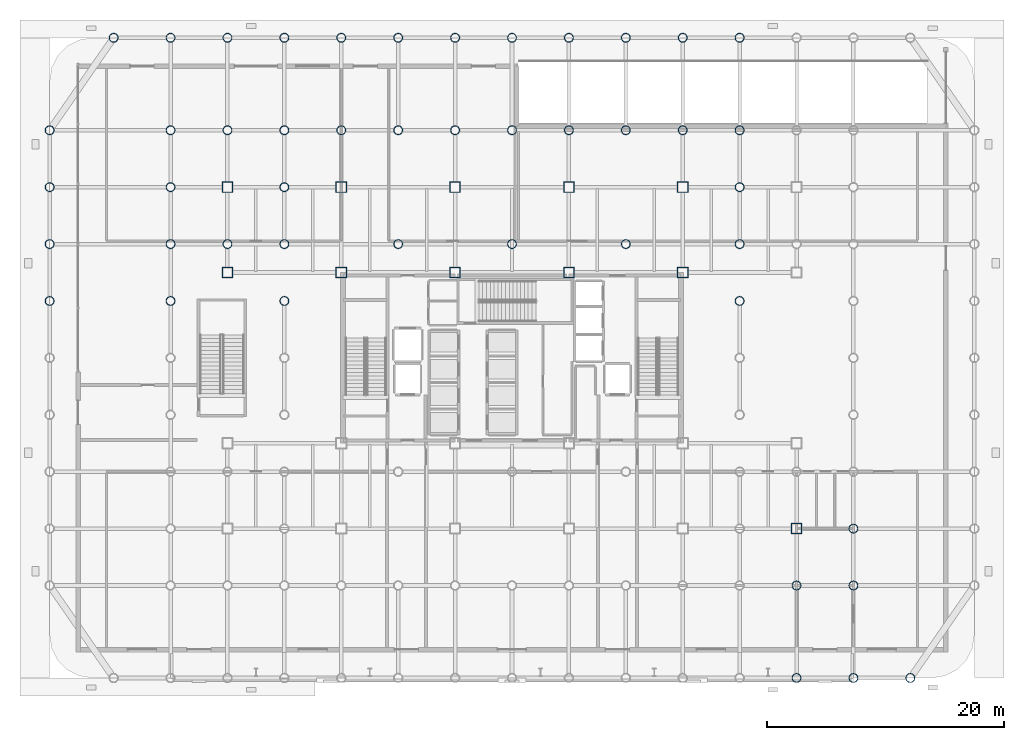
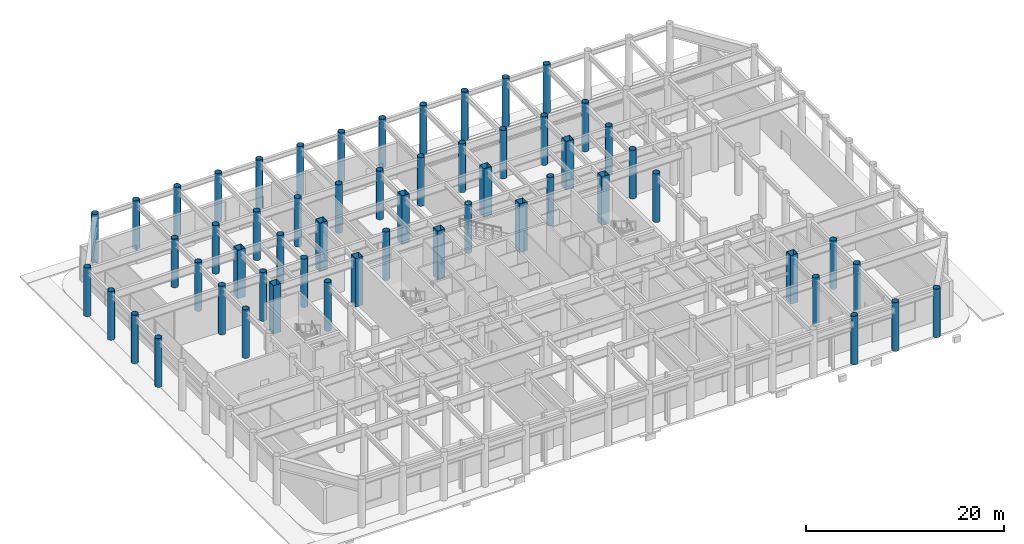
# One storey, part 4 of 23: 57 columns.
"""IFC4 building model written with IfcOpenShell, lengths in metres."""

from ifc_helpers import new_model, si_unit, direction, frame, origin, origin_2d, place, context, subcontext, project, spatial, hollow_rectangle, hollow_circle, extrude, material, material_profile, profile_set, type_object, element, save


model = new_model("IFC4")

# Units and contexts
model_context = context("Model", 3, precision=1e-05, world=origin(), true_north=direction((0.0, 1.0)))
body_context = subcontext(model_context, "Body", "Model", "MODEL_VIEW")
ifc_project = project(units=[si_unit("LENGTHUNIT", "METRE"), si_unit("AREAUNIT", "SQUARE_METRE"), si_unit("VOLUMEUNIT", "CUBIC_METRE"), si_unit("PLANEANGLEUNIT", "RADIAN"), si_unit("MASSUNIT", "GRAM", prefix="KILO")], contexts=[model_context])

# Site, building, storey
site_placement = place(None, origin())
site = spatial("IfcSite", under=ifc_project, at=site_placement, CompositionType="ELEMENT")
building_placement = place(site_placement, origin())
building = spatial("IfcBuilding", under=site, at=building_placement, Name="Kallvorn Hotel Tower", CompositionType="ELEMENT")
storey_placement = place(building_placement, origin())
storey = spatial("IfcBuildingStorey", under=building, at=storey_placement, Name="L00", CompositionType="ELEMENT", Elevation=0.0)

# Columns
ifc_material_1 = material(Name="Structural steel S355J2H", Category="steel")
ifc_material_profile_1 = material_profile(ifc_material_1, hollow_circle(Radius=0.381103515625, WallThickness=0.031982421875, at=origin_2d()), Name="CHS 762x32")
ifc_profile_set_1 = profile_set([ifc_material_profile_1], Name="Structural steel S355J2H")
column_type_1 = type_object("IfcColumnType", Name="COL_CHS_762", PredefinedType="COLUMN", material=ifc_profile_set_1)
for number, where, z_axis, x_axis, name in (
    (1, (-39.0, 4.800048828125, 0.0), (0.0, 0.0, 1.0), (1.0, 0.0, 0.0), "L00 Exoskeleton Column EC06"),
    (2, (-39.0, 9.60009765625, 0.0), (0.0, 0.0, 1.0), (1.0, 0.0, 0.0), "L00 Exoskeleton Column EC07"),
    (3, (-39.0, 14.39990234375, 0.0), (0.0, 0.0, 1.0), (1.0, 0.0, 0.0), "L00 Exoskeleton Column EC08"),
    (4, (-39.0, 19.199951171875, 0.0), (0.0, 0.0, 1.0), (1.0, 0.0, 0.0), "L00 Exoskeleton Column EC09"),
    (5, (-33.60009765625, 27.0, 0.0), (0.0, 0.0, 1.0), (1.0, 0.0, 0.0), "L00 Exoskeleton Column EC11"),
    (6, (-28.800048828125, 4.800048828125, 0.0), (0.0, 0.0, 1.0), (1.0, 0.0, 0.0), "L00 Exoskeleton Column EC18"),
    (7, (-28.800048828125, 9.60009765625, 0.0), (0.0, 0.0, 1.0), (1.0, 0.0, 0.0), "L00 Exoskeleton Column EC19"),
    (8, (-28.800048828125, 14.39990234375, 0.0), (0.0, 0.0, 1.0), (1.0, 0.0, 0.0), "L00 Exoskeleton Column EC20"),
    (9, (-28.800048828125, 19.199951171875, 0.0), (0.0, 0.0, 1.0), (1.0, 0.0, 0.0), "L00 Exoskeleton Column EC21"),
    (10, (-28.800048828125, 27.0, 0.0), (0.0, 0.0, 1.0), (1.0, 0.0, 0.0), "L00 Exoskeleton Column EC22"),
    (11, (-24.0, 9.60009765625, 0.0), (0.0, 0.0, 1.0), (1.0, 0.0, 0.0), "L00 Exoskeleton Column EC26"),
    (12, (-24.0, 19.199951171875, 0.0), (0.0, 0.0, 1.0), (1.0, 0.0, 0.0), "L00 Exoskeleton Column EC27"),
    (13, (-24.0, 27.0, 0.0), (0.0, 0.0, 1.0), (1.0, 0.0, 0.0), "L00 Exoskeleton Column EC28"),
    (14, (-19.199951171875, 4.800048828125, 0.0), (0.0, 0.0, 1.0), (1.0, 0.0, 0.0), "L00 Exoskeleton Column EC35"),
    (15, (-19.199951171875, 9.60009765625, 0.0), (0.0, 0.0, 1.0), (1.0, 0.0, 0.0), "L00 Exoskeleton Column EC36"),
    (16, (-19.199951171875, 14.39990234375, 0.0), (0.0, 0.0, 1.0), (1.0, 0.0, 0.0), "L00 Exoskeleton Column EC37"),
    (17, (-19.199951171875, 19.199951171875, 0.0), (0.0, 0.0, 1.0), (1.0, 0.0, 0.0), "L00 Exoskeleton Column EC38"),
    (18, (-19.199951171875, 27.0, 0.0), (0.0, 0.0, 1.0), (1.0, 0.0, 0.0), "L00 Exoskeleton Column EC39"),
    (19, (-14.39990234375, 19.199951171875, 0.0), (0.0, 0.0, 1.0), (1.0, 0.0, 0.0), "L00 Exoskeleton Column EC42"),
    (20, (-14.39990234375, 27.0, 0.0), (0.0, 0.0, 1.0), (1.0, 0.0, 0.0), "L00 Exoskeleton Column EC43"),
    (21, (-9.60009765625, 9.60009765625, 0.0), (0.0, 0.0, 1.0), (1.0, 0.0, 0.0), "L00 Exoskeleton Column EC47"),
    (22, (-9.60009765625, 19.199951171875, 0.0), (0.0, 0.0, 1.0), (1.0, 0.0, 0.0), "L00 Exoskeleton Column EC48"),
    (23, (-9.60009765625, 27.0, 0.0), (0.0, 0.0, 1.0), (1.0, 0.0, 0.0), "L00 Exoskeleton Column EC49"),
    (24, (-4.800048828125, 19.199951171875, 0.0), (0.0, 0.0, 1.0), (1.0, 0.0, 0.0), "L00 Exoskeleton Column EC52"),
    (25, (-4.800048828125, 27.0, 0.0), (0.0, 0.0, 1.0), (1.0, 0.0, 0.0), "L00 Exoskeleton Column EC53"),
    (26, (0.0, 9.60009765625, 0.0), (0.0, 0.0, 1.0), (1.0, 0.0, 0.0), "L00 Exoskeleton Column EC57"),
    (27, (0.0, 19.199951171875, 0.0), (0.0, 0.0, 1.0), (1.0, 0.0, 0.0), "L00 Exoskeleton Column EC58"),
    (28, (0.0, 27.0, 0.0), (0.0, 0.0, 1.0), (1.0, 0.0, 0.0), "L00 Exoskeleton Column EC59"),
    (29, (4.800048828125, 19.199951171875, 0.0), (0.0, 0.0, 1.0), (1.0, 0.0, 0.0), "L00 Exoskeleton Column EC62"),
    (30, (4.800048828125, 27.0, 0.0), (0.0, 0.0, 1.0), (1.0, 0.0, 0.0), "L00 Exoskeleton Column EC63"),
    (31, (9.60009765625, 9.60009765625, 0.0), (0.0, 0.0, 1.0), (1.0, 0.0, 0.0), "L00 Exoskeleton Column EC67"),
    (32, (9.60009765625, 19.199951171875, 0.0), (0.0, 0.0, 1.0), (1.0, 0.0, 0.0), "L00 Exoskeleton Column EC68"),
    (33, (9.60009765625, 27.0, 0.0), (0.0, 0.0, 1.0), (1.0, 0.0, 0.0), "L00 Exoskeleton Column EC69"),
    (34, (14.39990234375, 19.199951171875, 0.0), (0.0, 0.0, 1.0), (1.0, 0.0, 0.0), "L00 Exoskeleton Column EC72"),
    (35, (14.39990234375, 27.0, 0.0), (0.0, 0.0, 1.0), (1.0, 0.0, 0.0), "L00 Exoskeleton Column EC73"),
    (36, (19.199951171875, 4.800048828125, 0.0), (0.0, 0.0, 1.0), (1.0, 0.0, 0.0), "L00 Exoskeleton Column EC80"),
    (37, (19.199951171875, 9.60009765625, 0.0), (0.0, 0.0, 1.0), (1.0, 0.0, 0.0), "L00 Exoskeleton Column EC81"),
    (38, (19.199951171875, 14.39990234375, 0.0), (0.0, 0.0, 1.0), (1.0, 0.0, 0.0), "L00 Exoskeleton Column EC82"),
    (39, (19.199951171875, 19.199951171875, 0.0), (0.0, 0.0, 1.0), (1.0, 0.0, 0.0), "L00 Exoskeleton Column EC83"),
    (40, (19.199951171875, 27.0, 0.0), (0.0, 0.0, 1.0), (1.0, 0.0, 0.0), "L00 Exoskeleton Column EC84"),
    (41, (24.0, -27.0, 0.0), (0.0, 0.0, 1.0), (1.0, 0.0, 0.0), "L00 Exoskeleton Column EC85"),
    (42, (24.0, -19.199951171875, 0.0), (0.0, 0.0, 1.0), (1.0, 0.0, 0.0), "L00 Exoskeleton Column EC86"),
    (43, (28.800048828125, -27.0, 0.0), (0.0, 0.0, 1.0), (1.0, 0.0, 0.0), "L00 Exoskeleton Column EC91"),
    (44, (28.800048828125, -19.199951171875, 0.0), (0.0, 0.0, 1.0), (1.0, 0.0, 0.0), "L00 Exoskeleton Column EC92"),
    (45, (28.800048828125, -14.39990234375, 0.0), (0.0, 0.0, 1.0), (1.0, 0.0, 0.0), "L00 Exoskeleton Column EC93"),
    (46, (33.60009765625, -27.0, 0.0), (0.0, 0.0, 1.0), (1.0, 0.0, 0.0), "L00 Exoskeleton Column EC102"),
):
    element("IfcColumn", number, at=place(storey_placement, frame(where, z_axis=z_axis, x_axis=x_axis)), inside=storey, type_object=column_type_1, Name=name, PredefinedType="COLUMN", context=body_context, shape_type="SweptSolid", body=[
        extrude(hollow_circle(Radius=0.381103515625, WallThickness=0.031982421875, at=origin_2d()), origin(), (0.0, 0.0, 1.0), 6.0),
    ])
ifc_material_2 = material(Name="Structural steel S355J2H", Category="steel")
ifc_material_profile_2 = material_profile(ifc_material_2, hollow_rectangle(XDim=0.89990234375, YDim=0.89990234375, WallThickness=0.0400390625, at=origin_2d()), Name="RHS 900x900x40")
ifc_profile_set_2 = profile_set([ifc_material_profile_2], Name="Structural steel S355J2H")
column_type_2 = type_object("IfcColumnType", Name="COL_RHS_900", PredefinedType="COLUMN", material=ifc_profile_set_2)
for number, where, z_axis, x_axis, name in (
    (47, (-24.0, 7.199951171875, 0.0), (0.0, 0.0, 1.0), (1.0, 0.0, 0.0), "L00 Inner Column IC03"),
    (48, (-24.0, 14.39990234375, 0.0), (0.0, 0.0, 1.0), (1.0, 0.0, 0.0), "L00 Inner Column IC04"),
    (49, (-14.39990234375, 7.199951171875, 0.0), (0.0, 0.0, 1.0), (1.0, 0.0, 0.0), "L00 Inner Column IC07"),
    (50, (-14.39990234375, 14.39990234375, 0.0), (0.0, 0.0, 1.0), (1.0, 0.0, 0.0), "L00 Inner Column IC08"),
    (51, (-4.800048828125, 7.199951171875, 0.0), (0.0, 0.0, 1.0), (1.0, 0.0, 0.0), "L00 Inner Column IC11"),
    (52, (-4.800048828125, 14.39990234375, 0.0), (0.0, 0.0, 1.0), (1.0, 0.0, 0.0), "L00 Inner Column IC12"),
    (53, (4.800048828125, 7.199951171875, 0.0), (0.0, 0.0, 1.0), (1.0, 0.0, 0.0), "L00 Inner Column IC15"),
    (54, (4.800048828125, 14.39990234375, 0.0), (0.0, 0.0, 1.0), (1.0, 0.0, 0.0), "L00 Inner Column IC16"),
    (55, (14.39990234375, 7.199951171875, 0.0), (0.0, 0.0, 1.0), (1.0, 0.0, 0.0), "L00 Inner Column IC19"),
    (56, (14.39990234375, 14.39990234375, 0.0), (0.0, 0.0, 1.0), (1.0, 0.0, 0.0), "L00 Inner Column IC20"),
    (57, (24.0, -14.39990234375, 0.0), (0.0, 0.0, 1.0), (1.0, 0.0, 0.0), "L00 Inner Column IC21"),
):
    element("IfcColumn", number, at=place(storey_placement, frame(where, z_axis=z_axis, x_axis=x_axis)), inside=storey, type_object=column_type_2, Name=name, PredefinedType="COLUMN", context=body_context, shape_type="SweptSolid", body=[
        extrude(hollow_rectangle(XDim=0.89990234375, YDim=0.89990234375, WallThickness=0.0400390625, at=origin_2d()), origin(), (0.0, 0.0, 1.0), 6.0),
    ])

save(model, "model.ifc")
